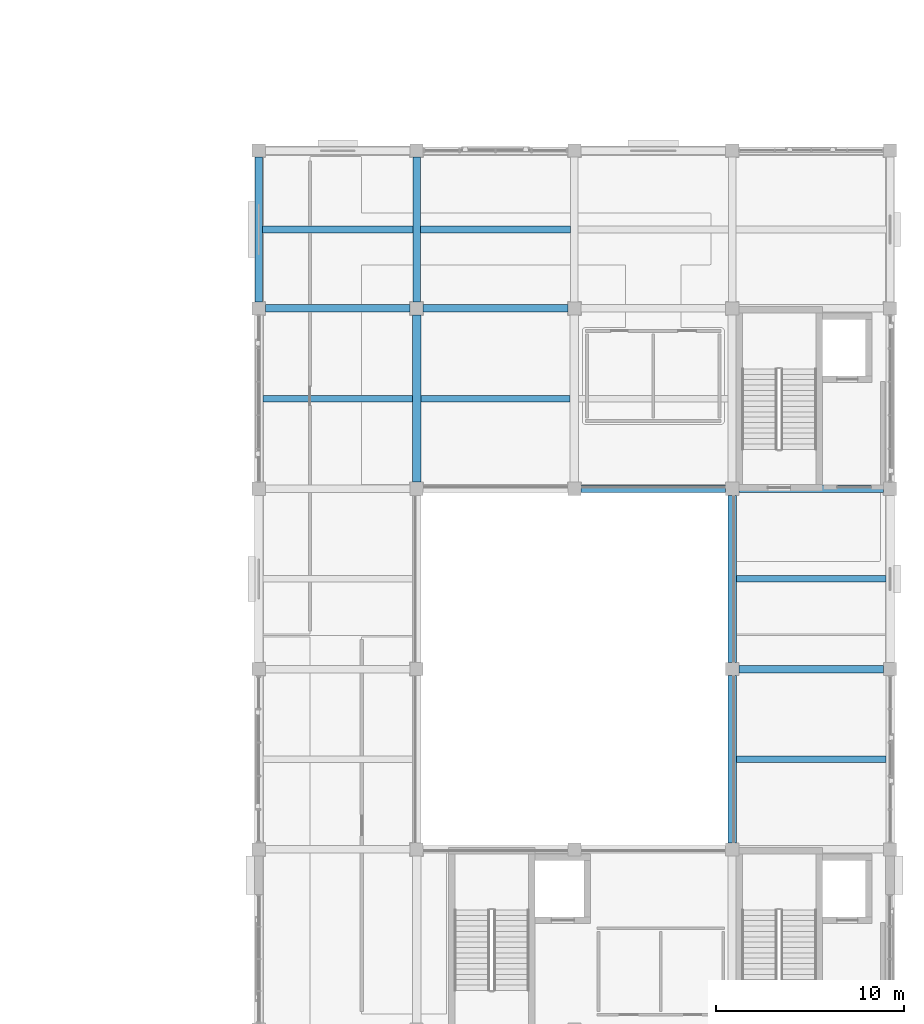
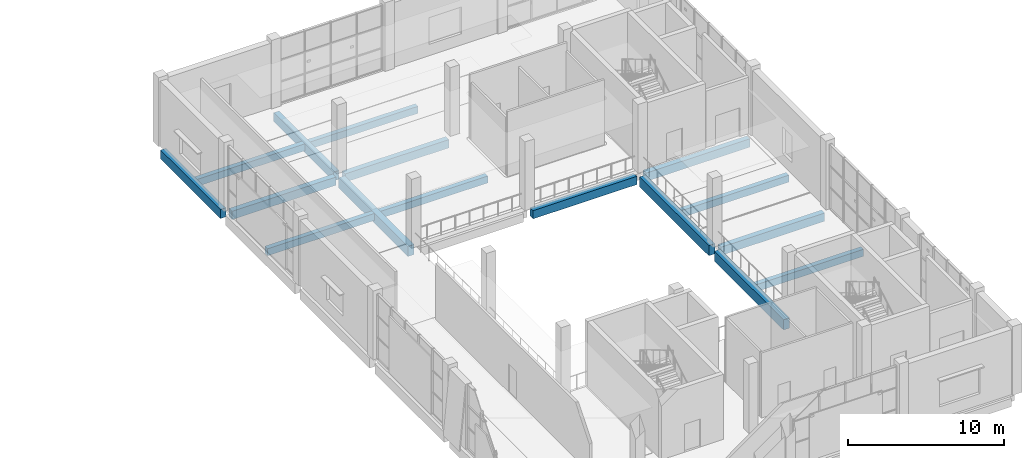
# One storey, part 30 of 72: 16 beams.
"""IFC4 building model written with IfcOpenShell, lengths in metres."""

from ifc_helpers import new_model, si_unit, direction, frame, origin, origin_2d, place, context, subcontext, project, spatial, rectangle, extrude, material, material_profile, profile_set, type_object, element, save


model = new_model("IFC4")

# Units and contexts
model_context = context("Model", 3, precision=1e-05, world=origin(), true_north=direction((0.0, 1.0)))
body_context = subcontext(model_context, "Body", "Model", "MODEL_VIEW")
ifc_project = project(units=[si_unit("LENGTHUNIT", "METRE"), si_unit("AREAUNIT", "SQUARE_METRE"), si_unit("VOLUMEUNIT", "CUBIC_METRE"), si_unit("PLANEANGLEUNIT", "RADIAN"), si_unit("MASSUNIT", "GRAM", prefix="KILO")], contexts=[model_context])

# Site, building, storey
site_placement = place(None, origin())
site = spatial("IfcSite", under=ifc_project, at=site_placement, CompositionType="ELEMENT")
building_placement = place(site_placement, origin())
building = spatial("IfcBuilding", under=site, at=building_placement, Name="Shalvenor Court Art Gallery", CompositionType="ELEMENT")
storey_placement = place(building_placement, frame((0.0, 0.0, 11.39990234375)))
storey = spatial("IfcBuildingStorey", under=building, at=storey_placement, Name="L02", CompositionType="ELEMENT", Elevation=11.39990234375)

# Beams
ifc_material_1 = material(Name="Concrete C40/50", Category="concrete")
ifc_material_profile_1 = material_profile(ifc_material_1, rectangle(XDim=0.449951171875, YDim=0.800048828125, at=origin_2d()), Name="RC 450x800")
ifc_profile_set_1 = profile_set([ifc_material_profile_1], Name="Concrete C40/50")
beam_type_1 = type_object("IfcBeamType", Name="B-03", PredefinedType="BEAM", material=ifc_profile_set_1)
for number, where, z_axis, x_axis, name in (
    (1, (151.199951171875, 79.550048828125, -0.719970703125), (0.0, 1.0, 0.0), (-1.0, 0.0, 0.0), "L02 Girder BM-L02-B-03-0780"),
    (2, (168.0, 60.35009765625, -0.719970703125), (0.0, 1.0, 0.0), (-1.0, 0.0, 0.0), "L02 Girder BM-L02-B-03-0787"),
):
    element("IfcBeam", number, at=place(storey_placement, frame(where, z_axis=z_axis, x_axis=x_axis)), inside=storey, type_object=beam_type_1, Name=name, PredefinedType="BEAM", context=body_context, shape_type="SweptSolid", body=[
        extrude(rectangle(XDim=0.449951171875, YDim=0.800048828125, at=origin_2d()), origin(), (0.0, 0.0, 1.0), 8.89990234375),
    ])
beam_1_placement = place(storey_placement, frame((168.0, 69.949951171875, -0.719970703125), z_axis=(0.0, 1.0, 0.0), x_axis=(-1.0, 0.0, 0.0)))
element("IfcBeam", 3, at=beam_1_placement, inside=storey, type_object=beam_type_1, Name="L02 Girder BM-L02-B-03-0788", PredefinedType="BEAM", context=body_context, shape_type="SweptSolid", body=[
    extrude(rectangle(XDim=0.449951171875, YDim=0.800048828125, at=origin_2d()), origin(), (0.0, 0.0, 1.0), 8.900146484375),
])
ifc_material_2 = material(Name="Concrete C40/50", Category="concrete")
ifc_material_profile_2 = material_profile(ifc_material_2, rectangle(XDim=0.39990234375, YDim=0.699951171875, at=origin_2d()), Name="RC 400x700")
ifc_profile_set_2 = profile_set([ifc_material_profile_2], Name="Concrete C40/50")
beam_type_2 = type_object("IfcBeamType", Name="B-05", PredefinedType="BEAM", material=ifc_profile_set_2)
for number, where, z_axis, x_axis, name in (
    (4, (142.800048828125, 89.14990234375, -0.669921875), (0.0, 1.0, 0.0), (-1.0, 0.0, 0.0), "L02 Girder BM-L02-B-05-0775"),
    (5, (151.199951171875, 89.14990234375, -0.669921875), (0.0, 1.0, 0.0), (-1.0, 0.0, 0.0), "L02 Girder BM-L02-B-05-0781"),
):
    element("IfcBeam", number, at=place(storey_placement, frame(where, z_axis=z_axis, x_axis=x_axis)), inside=storey, type_object=beam_type_2, Name=name, PredefinedType="BEAM", context=body_context, shape_type="SweptSolid", body=[
        extrude(rectangle(XDim=0.39990234375, YDim=0.699951171875, at=origin_2d()), origin(), (0.0, 0.0, 1.0), 7.7001953125),
    ])
ifc_material_3 = material(Name="Concrete C40/50", Category="concrete")
ifc_material_profile_3 = material_profile(ifc_material_3, rectangle(XDim=0.39990234375, YDim=0.64990234375, at=origin_2d()), Name="RC 400x650")
ifc_profile_set_3 = profile_set([ifc_material_profile_3], Name="Concrete C40/50")
beam_type_3 = type_object("IfcBeamType", Name="B-06", PredefinedType="BEAM", material=ifc_profile_set_3)
for number, where, z_axis, x_axis, name in (
    (6, (168.35009765625, 69.60009765625, -0.64501953125), (1.0, 0.0, 0.0), (0.0, 1.0, 0.0), "L02 Girder BM-L02-B-06-0854"),
    (7, (159.949951171875, 79.199951171875, -0.64501953125), (1.0, 0.0, 0.0), (0.0, 1.0, 0.0), "L02 Girder BM-L02-B-06-0861"),
    (8, (168.35009765625, 79.199951171875, -0.64501953125), (1.0, 0.0, 0.0), (0.0, 1.0, 0.0), "L02 Girder BM-L02-B-06-0862"),
):
    element("IfcBeam", number, at=place(storey_placement, frame(where, z_axis=z_axis, x_axis=x_axis)), inside=storey, type_object=beam_type_3, Name=name, PredefinedType="BEAM", context=body_context, shape_type="SweptSolid", body=[
        extrude(rectangle(XDim=0.39990234375, YDim=0.64990234375, at=origin_2d()), origin(), (0.0, 0.0, 1.0), 7.699951171875),
    ])
beam_2_placement = place(storey_placement, frame((143.14990234375, 88.800048828125, -0.64501953125), z_axis=(1.0, 0.0, 0.0), x_axis=(0.0, 1.0, 0.0)))
element("IfcBeam", 9, at=beam_2_placement, inside=storey, type_object=beam_type_3, Name="L02 Girder BM-L02-B-06-0867", PredefinedType="BEAM", context=body_context, shape_type="SweptSolid", body=[
    extrude(rectangle(XDim=0.39990234375, YDim=0.64990234375, at=origin_2d()), origin(), (0.0, 0.0, 1.0), 7.7001953125),
])
beam_3_placement = place(storey_placement, frame((151.550048828125, 88.800048828125, -0.64501953125), z_axis=(1.0, 0.0, 0.0), x_axis=(0.0, 1.0, 0.0)))
element("IfcBeam", 10, at=beam_3_placement, inside=storey, type_object=beam_type_3, Name="L02 Girder BM-L02-B-06-0868", PredefinedType="BEAM", context=body_context, shape_type="SweptSolid", body=[
    extrude(rectangle(XDim=0.39990234375, YDim=0.64990234375, at=origin_2d()), origin(), (0.0, 0.0, 1.0), 7.699951171875),
])
ifc_material_4 = material(Name="Concrete C40/50", Category="concrete")
ifc_material_profile_4 = material_profile(ifc_material_4, rectangle(XDim=0.35009765625, YDim=0.550048828125, at=origin_2d()), Name="RC 350x550")
ifc_profile_set_4 = profile_set([ifc_material_profile_4], Name="Concrete C40/50")
beam_type_4 = type_object("IfcBeamType", Name="J-02", PredefinedType="JOIST", material=ifc_profile_set_4)
beam_4_placement = place(storey_placement, frame((143.02490234375, 84.0, -0.594970703125), z_axis=(1.0, 0.0, 0.0), x_axis=(0.0, 1.0, 0.0)))
element("IfcBeam", 11, at=beam_4_placement, inside=storey, type_object=beam_type_4, Name="L02 Secondary Beam JST-L02-J-02-0953", PredefinedType="JOIST", context=body_context, shape_type="SweptSolid", body=[
    extrude(rectangle(XDim=0.35009765625, YDim=0.550048828125, at=origin_2d()), origin(), (0.0, 0.0, 1.0), 7.9501953125),
])
beam_5_placement = place(storey_placement, frame((143.0, 93.0, -0.594970703125), z_axis=(1.0, 0.0, 0.0), x_axis=(0.0, 1.0, 0.0)))
element("IfcBeam", 12, at=beam_5_placement, inside=storey, type_object=beam_type_4, Name="L02 Secondary Beam JST-L02-J-02-0954", PredefinedType="JOIST", context=body_context, shape_type="SweptSolid", body=[
    extrude(rectangle(XDim=0.35009765625, YDim=0.550048828125, at=origin_2d()), origin(), (0.0, 0.0, 1.0), 8.0),
])
beam_6_placement = place(storey_placement, frame((151.425048828125, 84.0, -0.594970703125), z_axis=(1.0, 0.0, 0.0), x_axis=(0.0, 1.0, 0.0)))
element("IfcBeam", 13, at=beam_6_placement, inside=storey, type_object=beam_type_4, Name="L02 Secondary Beam JST-L02-J-02-0956", PredefinedType="JOIST", context=body_context, shape_type="SweptSolid", body=[
    extrude(rectangle(XDim=0.35009765625, YDim=0.550048828125, at=origin_2d()), origin(), (0.0, 0.0, 1.0), 7.949951171875),
])
beam_7_placement = place(storey_placement, frame((151.39990234375, 93.0, -0.594970703125), z_axis=(1.0, 0.0, 0.0), x_axis=(0.0, 1.0, 0.0)))
element("IfcBeam", 14, at=beam_7_placement, inside=storey, type_object=beam_type_4, Name="L02 Secondary Beam JST-L02-J-02-0957", PredefinedType="JOIST", context=body_context, shape_type="SweptSolid", body=[
    extrude(rectangle(XDim=0.35009765625, YDim=0.550048828125, at=origin_2d()), origin(), (0.0, 0.0, 1.0), 8.0),
])
for number, where, z_axis, x_axis, name in (
    (15, (168.22509765625, 64.800048828125, -0.594970703125), (1.0, 0.0, 0.0), (0.0, 1.0, 0.0), "L02 Secondary Beam JST-L02-J-02-0962"),
    (16, (168.22509765625, 74.39990234375, -0.594970703125), (1.0, 0.0, 0.0), (0.0, 1.0, 0.0), "L02 Secondary Beam JST-L02-J-02-0963"),
):
    element("IfcBeam", number, at=place(storey_placement, frame(where, z_axis=z_axis, x_axis=x_axis)), inside=storey, type_object=beam_type_4, Name=name, PredefinedType="JOIST", context=body_context, shape_type="SweptSolid", body=[
        extrude(rectangle(XDim=0.35009765625, YDim=0.550048828125, at=origin_2d()), origin(), (0.0, 0.0, 1.0), 7.949951171875),
    ])

save(model, "model.ifc")
